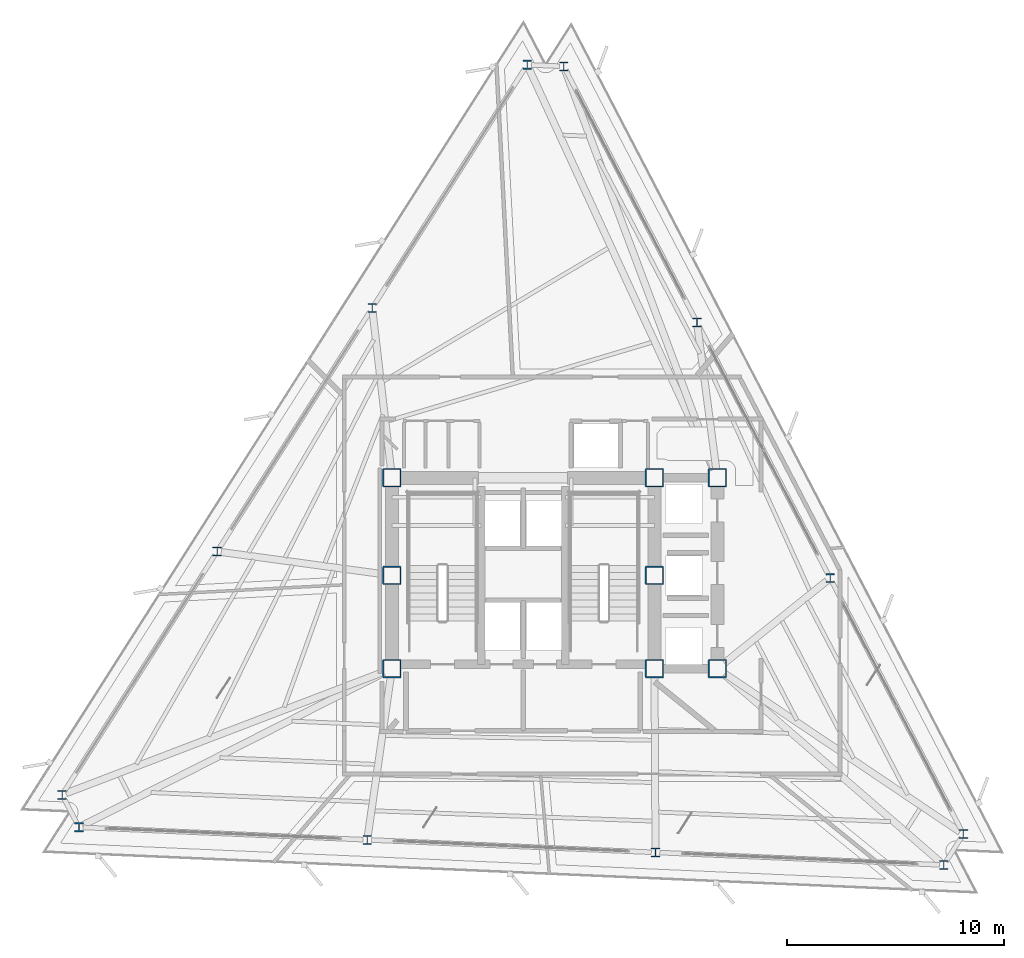
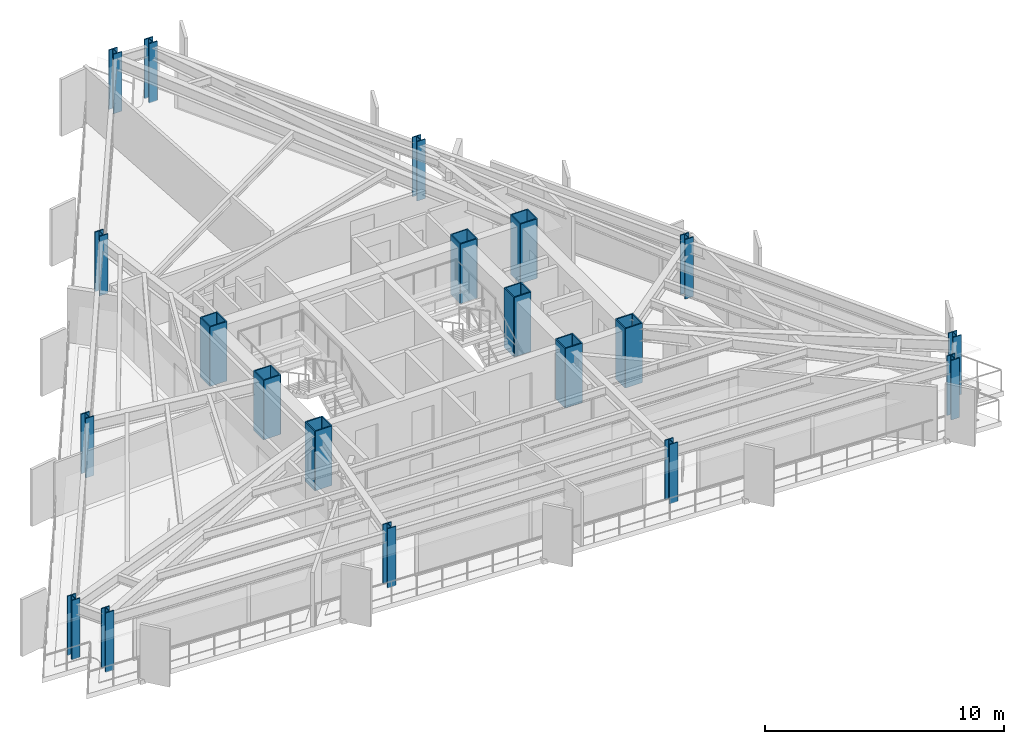
# One storey, part 1 of 12: 20 columns.
"""IFC4 building model written with IfcOpenShell, lengths in metres."""

from ifc_helpers import new_model, si_unit, direction, frame, origin, origin_2d, place, context, subcontext, project, spatial, hollow_rectangle, i_section, extrude, material, material_profile, profile_set, type_object, element, save


model = new_model("IFC4")

# Units and contexts
model_context = context("Model", 3, precision=1e-05, world=origin(), true_north=direction((0.0, 1.0)))
body_context = subcontext(model_context, "Body", "Model", "MODEL_VIEW")
ifc_project = project(units=[si_unit("LENGTHUNIT", "METRE"), si_unit("AREAUNIT", "SQUARE_METRE"), si_unit("VOLUMEUNIT", "CUBIC_METRE"), si_unit("PLANEANGLEUNIT", "RADIAN"), si_unit("MASSUNIT", "GRAM", prefix="KILO")], contexts=[model_context])

# Site, building, storey
site_placement = place(None, origin())
site = spatial("IfcSite", under=ifc_project, at=site_placement, CompositionType="ELEMENT")
building_placement = place(site_placement, origin())
building = spatial("IfcBuilding", under=site, at=building_placement, Name="Rocaltana Carrier Exchange", CompositionType="ELEMENT")
storey_placement = place(building_placement, frame((0.0, 0.0, 128.9599609375)))
storey = spatial("IfcBuildingStorey", under=building, at=storey_placement, Name="L40", CompositionType="ELEMENT", Elevation=128.9599609375)

# Columns
ifc_material_1 = material(Name="Steel S460", Category="steel")
ifc_material_profile_1 = material_profile(ifc_material_1, hollow_rectangle(XDim=0.85009765625, YDim=0.85009765625, WallThickness=0.054931640625, InnerFilletRadius=0.02001953125, OuterFilletRadius=0.0400390625, at=origin_2d()), Name="BOX850X850X55")
ifc_profile_set_1 = profile_set([ifc_material_profile_1], Name="Steel S460")
column_type_1 = type_object("IfcColumnType", Name="Core Mega-Column BOX850", PredefinedType="COLUMN", material=ifc_profile_set_1)
for number, where, z_axis, x_axis, name in (
    (1, (-6.050048828125, 4.5, 0.0), (0.0, 0.0, 1.0), (1.0, 0.0, 0.0), "L40 Core Mega-Column MC1"),
    (2, (6.050048828125, 4.5, 0.0), (0.0, 0.0, 1.0), (1.0, 0.0, 0.0), "L40 Core Mega-Column MC2"),
    (3, (-6.050048828125, 0.0, 0.0), (0.0, 0.0, 1.0), (1.0, 0.0, 0.0), "L40 Core Mega-Column MC3"),
    (4, (6.050048828125, 0.0, 0.0), (0.0, 0.0, 1.0), (1.0, 0.0, 0.0), "L40 Core Mega-Column MC4"),
    (5, (-6.050048828125, -4.300048828125, 0.0), (0.0, 0.0, 1.0), (1.0, 0.0, 0.0), "L40 Core Mega-Column MC5"),
    (6, (6.050048828125, -4.300048828125, 0.0), (0.0, 0.0, 1.0), (1.0, 0.0, 0.0), "L40 Core Mega-Column MC6"),
    (7, (8.949951171875, 4.5, 0.0), (0.0, 0.0, 1.0), (1.0, 0.0, 0.0), "L40 East Core Column EC1"),
    (8, (8.949951171875, -4.300048828125, 0.0), (0.0, 0.0, 1.0), (1.0, 0.0, 0.0), "L40 East Core Column EC2"),
):
    element("IfcColumn", number, at=place(storey_placement, frame(where, z_axis=z_axis, x_axis=x_axis)), inside=storey, type_object=column_type_1, Name=name, PredefinedType="COLUMN", context=body_context, shape_type="SweptSolid", body=[
        extrude(hollow_rectangle(XDim=0.85009765625, YDim=0.85009765625, WallThickness=0.054931640625, InnerFilletRadius=0.02001953125, OuterFilletRadius=0.0400390625, at=origin_2d()), origin(), (0.0, 0.0, 1.0), 3.0400390625),
    ])
ifc_material_2 = material(Name="Steel S355", Category="steel")
ifc_material_profile_2 = material_profile(ifc_material_2, i_section(OverallWidth=0.406005859375, OverallDepth=0.416015625, WebThickness=0.02978515625, FlangeThickness=0.048095703125, FilletRadius=0.02001953125, at=origin_2d()), Name="W14X257")
ifc_profile_set_2 = profile_set([ifc_material_profile_2], Name="Steel S355")
column_type_2 = type_object("IfcColumnType", Name="Perimeter Column W14X257", PredefinedType="COLUMN", material=ifc_profile_set_2)
for number, where, z_axis, x_axis, name in (
    (9, (20.29150390625, -11.92822265625, 0.0), (0.0, 0.0, 1.0), (1.0, 0.0, 0.0), "L40 Perimeter Column TC01"),
    (10, (14.150146484375, -0.130859375, 0.0), (0.0, 0.0, 1.0), (1.0, 0.0, 0.0), "L40 Perimeter Column TC02"),
    (11, (8.009033203125, 11.666259765625, 0.0), (0.0, 0.0, 1.0), (1.0, 0.0, 0.0), "L40 Perimeter Column TC03"),
    (12, (1.86767578125, 23.46337890625, 0.0), (0.0, 0.0, 1.0), (1.0, 0.0, 0.0), "L40 Perimeter Column TC04"),
    (13, (0.184326171875, 23.537109375, 0.0), (0.0, 0.0, 1.0), (1.0, 0.0, 0.0), "L40 Perimeter Column TC05"),
    (14, (-6.961669921875, 12.31982421875, 0.0), (0.0, 0.0, 1.0), (1.0, 0.0, 0.0), "L40 Perimeter Column TC06"),
    (15, (-14.10791015625, 1.102783203125, 0.0), (0.0, 0.0, 1.0), (1.0, 0.0, 0.0), "L40 Perimeter Column TC07"),
    (16, (-21.25390625, -10.1142578125, 0.0), (0.0, 0.0, 1.0), (1.0, 0.0, 0.0), "L40 Perimeter Column TC08"),
    (17, (-20.475830078125, -11.60888671875, 0.0), (0.0, 0.0, 1.0), (1.0, 0.0, 0.0), "L40 Perimeter Column TC09"),
    (18, (-7.1884765625, -12.18896484375, 0.0), (0.0, 0.0, 1.0), (1.0, 0.0, 0.0), "L40 Perimeter Column TC10"),
    (19, (6.098876953125, -12.76904296875, 0.0), (0.0, 0.0, 1.0), (1.0, 0.0, 0.0), "L40 Perimeter Column TC11"),
    (20, (19.38623046875, -13.349365234375, 0.0), (0.0, 0.0, 1.0), (1.0, 0.0, 0.0), "L40 Perimeter Column TC12"),
):
    element("IfcColumn", number, at=place(storey_placement, frame(where, z_axis=z_axis, x_axis=x_axis)), inside=storey, type_object=column_type_2, Name=name, PredefinedType="COLUMN", context=body_context, shape_type="SweptSolid", body=[
        extrude(i_section(OverallWidth=0.406005859375, OverallDepth=0.416015625, WebThickness=0.02978515625, FlangeThickness=0.048095703125, FilletRadius=0.02001953125, at=origin_2d()), origin(), (0.0, 0.0, 1.0), 3.0400390625),
    ])

save(model, "model.ifc")
